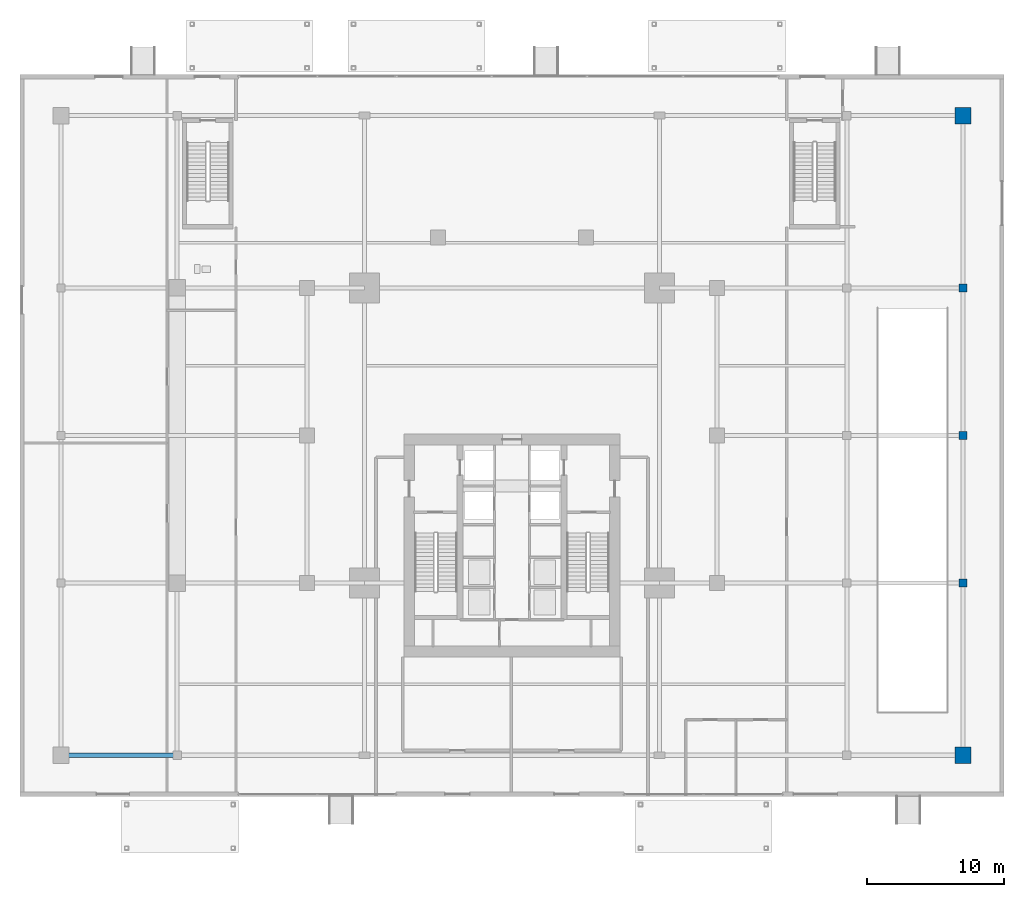
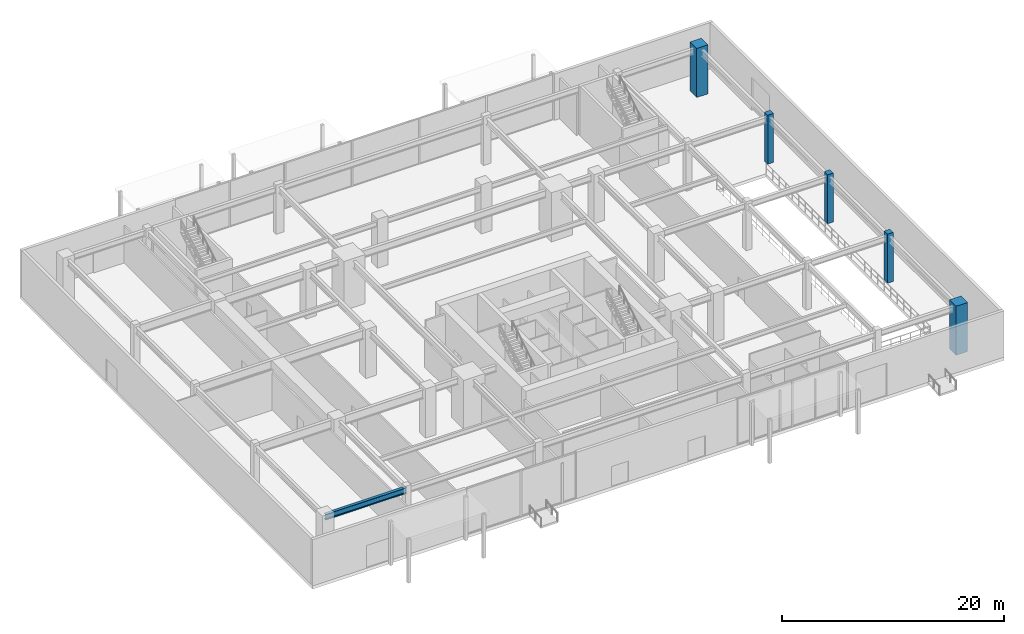
# One storey, part 5 of 28: 5 columns, 1 beam.
"""IFC4 building model written with IfcOpenShell, lengths in metres."""

from ifc_helpers import new_model, si_unit, direction, frame, origin, origin_2d, place, context, subcontext, project, spatial, rectangle, i_section, extrude, source, transform, mapped, material, material_profile, profile_set, type_object, type_shapes, element, save


model = new_model("IFC4")

# Units and contexts
model_context = context("Model", 3, precision=1e-05, world=origin(), true_north=direction((0.0, 1.0)))
body_context = subcontext(model_context, "Body", "Model", "MODEL_VIEW")
ifc_project = project(units=[si_unit("LENGTHUNIT", "METRE"), si_unit("AREAUNIT", "SQUARE_METRE"), si_unit("VOLUMEUNIT", "CUBIC_METRE"), si_unit("PLANEANGLEUNIT", "RADIAN"), si_unit("MASSUNIT", "GRAM", prefix="KILO")], contexts=[model_context])

# Site, building, storey
site_placement = place(None, origin())
site = spatial("IfcSite", under=ifc_project, at=site_placement, CompositionType="ELEMENT")
building_placement = place(site_placement, origin())
building = spatial("IfcBuilding", under=site, at=building_placement, Name="Krantzveldt Concourse Tower", CompositionType="ELEMENT")
storey_placement = place(building_placement, origin())
storey = spatial("IfcBuildingStorey", under=building, at=storey_placement, Name="L00", CompositionType="ELEMENT", Elevation=0.0)

# Columns
ifc_material_1 = material(Name="Concrete C40/50", Category="concrete")
ifc_material_profile_1 = material_profile(ifc_material_1, rectangle(XDim=0.60009765625, YDim=0.60009765625, at=origin_2d()), Name="Concrete C40/50", Category="concrete")
ifc_profile_set_1 = profile_set([ifc_material_profile_1], Name="Concrete C40/50 - RC 600x600")
column_type_1 = type_object("IfcColumnType", Name="COL-C-POD", PredefinedType="COLUMN", material=ifc_profile_set_1)
shared_shape_1 = source(origin(), body_context, "Body", "SweptSolid", [
    extrude(rectangle(XDim=0.60009765625, YDim=0.60009765625, at=origin_2d()), origin(), (0.0, 0.0, 1.0), 5.39990234375),
])
type_shapes(column_type_1, [shared_shape_1])
for number, where, z_axis, x_axis, name in (
    (1, (69.0, 15.89990234375, 0.0), (0.0, 0.0, 1.0), (1.0, 0.0, 0.0), "PC-E1-L00"),
    (2, (69.0, 26.699951171875, 0.0), (0.0, 0.0, 1.0), (1.0, 0.0, 0.0), "PC-E2-L00"),
    (3, (69.0, 37.5, 0.0), (0.0, 0.0, 1.0), (1.0, 0.0, 0.0), "PC-E3-L00"),
):
    element("IfcColumn", number, at=place(storey_placement, frame(where, z_axis=z_axis, x_axis=x_axis)), inside=storey, type_object=column_type_1, Name=name, PredefinedType="COLUMN", context=body_context, shape_type="MappedRepresentation", body=[
        mapped(shared_shape_1, transform((0.0, 0.0, 0.0), x_axis=(1.0, 0.0, 0.0), y_axis=(0.0, 1.0, 0.0), z_axis=(0.0, 0.0, 1.0), scale=1.0)),
    ])
ifc_material_2 = material(Name="Concrete C50/60", Category="concrete")
ifc_material_profile_2 = material_profile(ifc_material_2, rectangle(XDim=1.199951171875, YDim=1.199951171875, at=origin_2d()), Name="Concrete C50/60", Category="concrete")
ifc_profile_set_2 = profile_set([ifc_material_profile_2], Name="Concrete C50/60 - RC 1200x1200")
column_type_2 = type_object("IfcColumnType", Name="COL-MC-1200", PredefinedType="USERDEFINED", material=ifc_profile_set_2)
shared_shape_2 = source(origin(), body_context, "Body", "SweptSolid", [
    extrude(rectangle(XDim=1.199951171875, YDim=1.199951171875, at=origin_2d()), origin(), (0.0, 0.0, 1.0), 5.39990234375),
])
type_shapes(column_type_2, [shared_shape_2])
for number, where, z_axis, x_axis, name in (
    (4, (69.0, 3.300048828125, 0.0), (0.0, 0.0, 1.0), (1.0, 0.0, 0.0), "PC-SE-L00"),
    (5, (69.0, 50.10009765625, 0.0), (0.0, 0.0, 1.0), (1.0, 0.0, 0.0), "PC-NE-L00"),
):
    element("IfcColumn", number, at=place(storey_placement, frame(where, z_axis=z_axis, x_axis=x_axis)), inside=storey, type_object=column_type_2, Name=name, ObjectType="MEGA COLUMN", PredefinedType="USERDEFINED", context=body_context, shape_type="MappedRepresentation", body=[
        mapped(shared_shape_2, transform((0.0, 0.0, 0.0), x_axis=(1.0, 0.0, 0.0), y_axis=(0.0, 1.0, 0.0), z_axis=(0.0, 0.0, 1.0), scale=1.0)),
    ])

# Beam
ifc_material_3 = material(Name="Steel S355JR", Category="steel")
ifc_material_profile_3 = material_profile(ifc_material_3, i_section(OverallWidth=0.300048828125, OverallDepth=0.639892578125, WebThickness=0.013427734375, FlangeThickness=0.02587890625, FilletRadius=0.027099609375, at=origin_2d()), Name="Steel S355JR", Category="steel")
ifc_profile_set_3 = profile_set([ifc_material_profile_3], Name="Steel S355JR - HEA 650")
beam_type = type_object("IfcBeamType", Name="BM-B-HEA650", PredefinedType="BEAM", material=ifc_profile_set_3)
shared_shape_3 = source(origin(), body_context, "Body", "SweptSolid", [
    extrude(i_section(OverallWidth=0.300048828125, OverallDepth=0.639892578125, WebThickness=0.013427734375, FlangeThickness=0.02587890625, FilletRadius=0.027099609375, at=origin_2d()), origin(), (0.0, 0.0, 1.0), 8.5),
])
type_shapes(beam_type, [shared_shape_3])
beam_placement = place(storey_placement, frame((3.0, 3.300048828125, 4.780029296875), z_axis=(1.0, 0.0, 0.0), x_axis=(0.0, 1.0, 0.0)))
element("IfcBeam", 6, at=beam_placement, inside=storey, type_object=beam_type, Name="L00 Podium Primary Girder BG-OWS", PredefinedType="BEAM", context=body_context, shape_type="MappedRepresentation", body=[
    mapped(shared_shape_3, transform((0.0, 0.0, 0.0), x_axis=(1.0, 0.0, 0.0), y_axis=(0.0, 1.0, 0.0), z_axis=(0.0, 0.0, 1.0), scale=1.0)),
])

save(model, "model.ifc")
